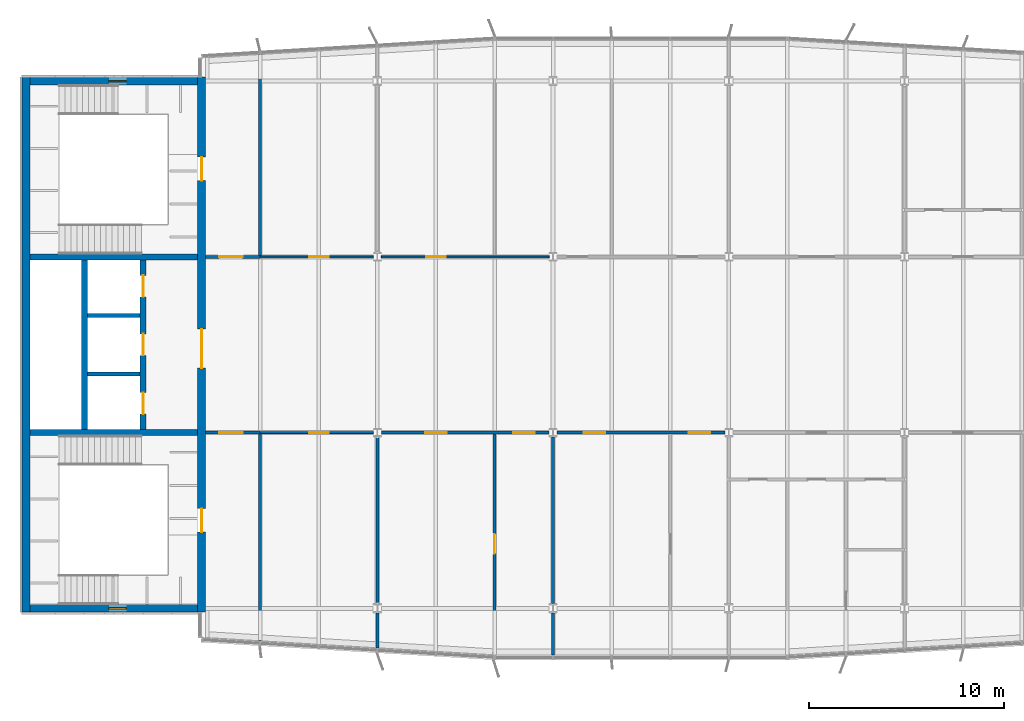
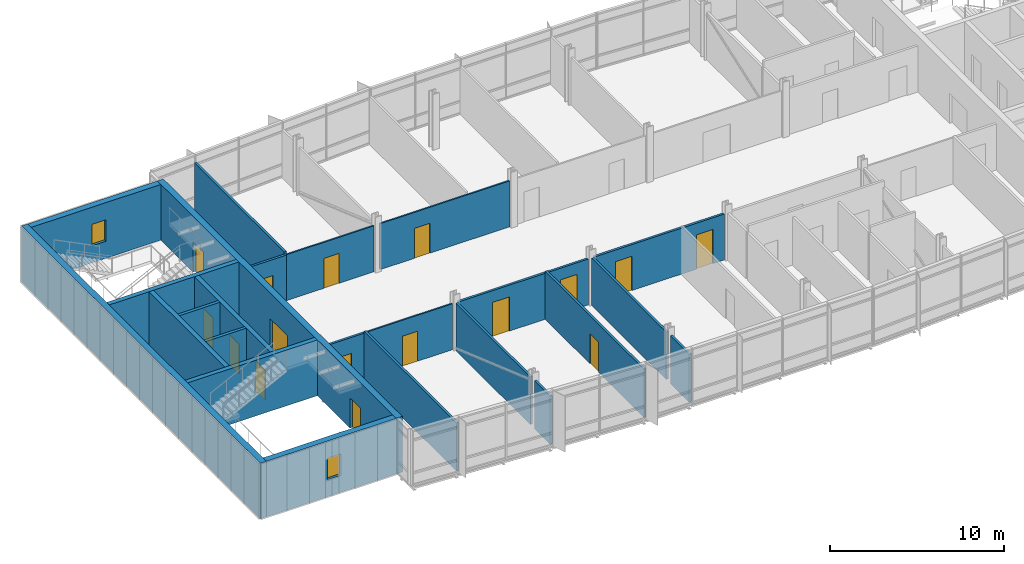
# One storey, part 11 of 17: 24 walls, 16 doors, 2 windows, 18 openings.
"""IFC4 building model written with IfcOpenShell, lengths in metres."""

from ifc_helpers import new_model, si_unit, direction, frame, frame_2d, origin, place, context, subcontext, project, spatial, rectangle, extrude, material, layer, layer_set, type_object, element, fill, save


model = new_model("IFC4")

# Units and contexts
model_context = context("Model", 3, precision=1e-05, world=origin(), true_north=direction((0.0, 1.0)))
body_context = subcontext(model_context, "Body", "Model", "MODEL_VIEW")
ifc_project = project(units=[si_unit("LENGTHUNIT", "METRE"), si_unit("AREAUNIT", "SQUARE_METRE"), si_unit("VOLUMEUNIT", "CUBIC_METRE"), si_unit("PLANEANGLEUNIT", "RADIAN"), si_unit("MASSUNIT", "GRAM", prefix="KILO")], contexts=[model_context])

# Site, building, storey
site_placement = place(None, origin())
site = spatial("IfcSite", under=ifc_project, at=site_placement, CompositionType="ELEMENT")
building_placement = place(site_placement, origin())
building = spatial("IfcBuilding", under=site, at=building_placement, Name="Azimuth Sports and Learning Centre", CompositionType="ELEMENT")
storey_placement = place(building_placement, frame((0.0, 0.0, 36.300048828125)))
storey = spatial("IfcBuildingStorey", under=building, at=storey_placement, Name="L07", CompositionType="ELEMENT", Elevation=36.300048828125)

# Walls
ifc_material_1 = material(Name="Dense masonry blockwork", Category="masonry")
ifc_layer_1 = layer(ifc_material_1, 0.199951171875)
ifc_layer_set_1 = layer_set([ifc_layer_1], Name="Dense masonry blockwork")
wall_type_1 = type_object("IfcWallType", Name="Blockwork wall 200 EI 120", PredefinedType="SOLIDWALL", material=ifc_layer_set_1)
for number, where, z_axis, x_axis, name in (
    (1, (57.14990234375, 102.0, 0.0), (0.0, 0.0, 1.0), (1.0, 0.0, 0.0), "SD-W-1-L07"),
    (2, (57.14990234375, 105.0, 0.0), (0.0, 0.0, 1.0), (1.0, 0.0, 0.0), "SD-W-2-L07"),
):
    element("IfcWall", number, at=place(storey_placement, frame(where, z_axis=z_axis, x_axis=x_axis)), inside=storey, type_object=wall_type_1, Name=name, PredefinedType="SOLIDWALL", context=body_context, shape_type="SweptSolid", body=[
        extrude(rectangle(XDim=2.7001953125, YDim=0.199951171875, at=frame_2d((1.35009765625, 0.0))), origin(), (0.0, 0.0, 1.0), 3.89990234375),
    ])

# Wall, opening, door
ifc_material_2 = material(Name="Gypsum board on steel studs", Category="steel")
ifc_layer_2 = layer(ifc_material_2, 0.10009765625)
ifc_layer_set_2 = layer_set([ifc_layer_2], Name="Gypsum board on steel studs")
wall_type_2 = type_object("IfcWallType", Name="Partition 100 EI 30", PredefinedType="PARTITIONING", material=ifc_layer_set_2)
wall_1_placement = place(storey_placement, frame((66.0, 99.0, 0.0), z_axis=(0.0, 0.0, 1.0), x_axis=(1.0, 0.0, 0.0)))
wall_1 = element("IfcWall", 3, at=wall_1_placement, inside=storey, type_object=wall_type_2, Name="Partition Classroom 07.07 / Learning Street", PredefinedType="PARTITIONING", context=body_context, shape_type="SweptSolid", body=[
    extrude(rectangle(XDim=5.7939453125, YDim=0.10009765625, at=frame_2d((2.89697265625, 0.0))), origin(), (0.0, 0.0, 1.0), 3.219970703125),
])
opening_1_placement = place(wall_1_placement, frame((2.5, 0.0, 0.0)))
opening_1 = element("IfcOpeningElement", 4, at=opening_1_placement, cuts=wall_1, Name="Opening D07-015", PredefinedType="OPENING", context=body_context, shape_type="SweptSolid", body=[
    extrude(rectangle(XDim=1.0, YDim=2.10009765625, at=frame_2d((0.5, 1.050048828125))), frame((0.0, 0.06103515625, 0.0), z_axis=(0.0, -1.0, 0.0), x_axis=(1.0, 0.0, 0.0)), (0.0, 0.0, 1.0), 0.1220703125),
])
ifc_material_3 = material(Name="Painted steel door set", Category="steel")
door_type_1 = type_object("IfcDoorType", Name="Fire door FD30S 1000 x 2100", OperationType="NOTDEFINED", PredefinedType="DOOR", material=ifc_material_3)
door_1_placement = place(opening_1_placement, frame((1.0, 0.0, 0.0), z_axis=(0.0, 0.0, 1.0), x_axis=(-1.0, 0.0, 0.0)))
door_1 = element("IfcDoor", 5, at=door_1_placement, inside=storey, type_object=door_type_1, Name="Door Classroom 07.07 / Learning Street", OperationType="SINGLE_SWING_LEFT", OverallHeight=2.10009765625, OverallWidth=1.0, PredefinedType="DOOR", context=body_context, shape_type="SweptSolid", body=[
    extrude(rectangle(XDim=1.0, YDim=2.10009765625, at=frame_2d((0.5, 1.050048828125))), frame((0.0, 0.02490234375, 0.0), z_axis=(0.0, -1.0, 0.0), x_axis=(1.0, 0.0, 0.0)), (0.0, 0.0, 1.0), 0.050048828125),
])
fill(opening_1, door_1)

wall_2_placement = place(storey_placement, frame((66.0, 108.0, 0.0), z_axis=(0.0, 0.0, 1.0), x_axis=(1.0, 0.0, 0.0)))
wall_2 = element("IfcWall", 6, at=wall_2_placement, inside=storey, type_object=wall_type_2, Name="Partition Classroom 07.18 / Classroom 07.19", PredefinedType="PARTITIONING", context=body_context, shape_type="SweptSolid", body=[
    extrude(rectangle(XDim=5.7939453125, YDim=0.10009765625, at=frame_2d((2.89697265625, 0.0))), origin(), (0.0, 0.0, 1.0), 3.219970703125),
])
opening_2_placement = place(wall_2_placement, frame((2.5, 0.0, 0.0)))
opening_2 = element("IfcOpeningElement", 7, at=opening_2_placement, cuts=wall_2, Name="Opening D07-022", PredefinedType="OPENING", context=body_context, shape_type="SweptSolid", body=[
    extrude(rectangle(XDim=1.0, YDim=2.10009765625, at=frame_2d((0.5, 1.050048828125))), frame((0.0, 0.06103515625, 0.0), z_axis=(0.0, -1.0, 0.0), x_axis=(1.0, 0.0, 0.0)), (0.0, 0.0, 1.0), 0.1220703125),
])
door_2_placement = place(opening_2_placement, origin())
door_2 = element("IfcDoor", 8, at=door_2_placement, inside=storey, type_object=door_type_1, Name="Door Classroom 07.18 / Learning Street", OperationType="SINGLE_SWING_RIGHT", OverallHeight=2.10009765625, OverallWidth=1.0, PredefinedType="DOOR", context=body_context, shape_type="SweptSolid", body=[
    extrude(rectangle(XDim=1.0, YDim=2.10009765625, at=frame_2d((0.5, 1.050048828125))), frame((0.0, 0.02490234375, 0.0), z_axis=(0.0, -1.0, 0.0), x_axis=(1.0, 0.0, 0.0)), (0.0, 0.0, 1.0), 0.050048828125),
])
fill(opening_2, door_2)

wall_3_placement = place(storey_placement, frame((72.2060546875, 108.0, 0.0), z_axis=(0.0, 0.0, 1.0), x_axis=(1.0, 0.0, 0.0)))
wall_3 = element("IfcWall", 9, at=wall_3_placement, inside=storey, type_object=wall_type_2, Name="Partition Classroom 07.18 / Classroom 07.19", PredefinedType="PARTITIONING", context=body_context, shape_type="SweptSolid", body=[
    extrude(rectangle(XDim=8.587890625, YDim=0.10009765625, at=frame_2d((4.2939453125, 0.0))), origin(), (0.0, 0.0, 1.0), 3.219970703125),
])
opening_3_placement = place(wall_3_placement, frame((2.2939453125, 0.0, 0.0)))
opening_3 = element("IfcOpeningElement", 10, at=opening_3_placement, cuts=wall_3, Name="Opening D07-023", PredefinedType="OPENING", context=body_context, shape_type="SweptSolid", body=[
    extrude(rectangle(XDim=1.0, YDim=2.10009765625, at=frame_2d((0.5, 1.050048828125))), frame((0.0, 0.06103515625, 0.0), z_axis=(0.0, -1.0, 0.0), x_axis=(1.0, 0.0, 0.0)), (0.0, 0.0, 1.0), 0.1220703125),
])
door_3_placement = place(opening_3_placement, origin())
door_3 = element("IfcDoor", 11, at=door_3_placement, inside=storey, type_object=door_type_1, Name="Door Classroom 07.19 / Learning Street", OperationType="SINGLE_SWING_LEFT", OverallHeight=2.10009765625, OverallWidth=1.0, PredefinedType="DOOR", context=body_context, shape_type="SweptSolid", body=[
    extrude(rectangle(XDim=1.0, YDim=2.10009765625, at=frame_2d((0.5, 1.050048828125))), frame((0.0, 0.02490234375, 0.0), z_axis=(0.0, -1.0, 0.0), x_axis=(1.0, 0.0, 0.0)), (0.0, 0.0, 1.0), 0.050048828125),
])
fill(opening_3, door_3)

ifc_material_4 = material(Name="Lightweight blockwork, rendered", Category="masonry")
ifc_layer_3 = layer(ifc_material_4, 0.14990234375)
ifc_layer_set_3 = layer_set([ifc_layer_3], Name="Lightweight blockwork, rendered")
wall_type_3 = type_object("IfcWallType", Name="Partition 150 EI 60", PredefinedType="PARTITIONING", material=ifc_layer_set_3)
wall_4_placement = place(storey_placement, frame((63.199951171875, 99.0, 0.0), z_axis=(0.0, 0.0, 1.0), x_axis=(1.0, 0.0, 0.0)))
wall_4 = element("IfcWall", 12, at=wall_4_placement, inside=storey, type_object=wall_type_3, Name="Partition Stair Lobby W1 07.01 / Learning Street", PredefinedType="PARTITIONING", context=body_context, shape_type="SweptSolid", body=[
    extrude(rectangle(XDim=2.800048828125, YDim=0.14990234375, at=frame_2d((1.39990234375, 0.0))), origin(), (0.0, 0.0, 1.0), 3.219970703125),
])
opening_4_placement = place(wall_4_placement, frame((0.699951171875, 0.0, 0.0)))
opening_4 = element("IfcOpeningElement", 13, at=opening_4_placement, cuts=wall_4, Name="Opening D07-011", PredefinedType="OPENING", context=body_context, shape_type="SweptSolid", body=[
    extrude(rectangle(XDim=1.199951171875, YDim=2.10009765625, at=frame_2d((0.60009765625, 1.050048828125))), frame((0.0, 0.0859375, 0.0), z_axis=(0.0, -1.0, 0.0), x_axis=(1.0, 0.0, 0.0)), (0.0, 0.0, 1.0), 0.171875),
])
ifc_material_5 = material(Name="Painted steel door set", Category="steel")
door_type_2 = type_object("IfcDoorType", Name="Fire door FD60 1200 x 2100", OperationType="NOTDEFINED", PredefinedType="DOOR", material=ifc_material_5)
door_4_placement = place(opening_4_placement, frame((1.199951171875, 0.0, 0.0), z_axis=(0.0, 0.0, 1.0), x_axis=(-1.0, 0.0, 0.0)))
door_4 = element("IfcDoor", 14, at=door_4_placement, inside=storey, type_object=door_type_2, Name="Door Stair Lobby W1 07.01 / Learning Street", OperationType="SINGLE_SWING_RIGHT", OverallHeight=2.10009765625, OverallWidth=1.199951171875, PredefinedType="DOOR", context=body_context, shape_type="SweptSolid", body=[
    extrude(rectangle(XDim=1.199951171875, YDim=2.10009765625, at=frame_2d((0.60009765625, 1.050048828125))), frame((0.0, 0.02490234375, 0.0), z_axis=(0.0, -1.0, 0.0), x_axis=(1.0, 0.0, 0.0)), (0.0, 0.0, 1.0), 0.050048828125),
])
fill(opening_4, door_4)

# Wall, openings, doors
wall_5_placement = place(storey_placement, frame((72.2060546875, 99.0, 0.0), z_axis=(0.0, 0.0, 1.0), x_axis=(1.0, 0.0, 0.0)))
wall_5 = element("IfcWall", 15, at=wall_5_placement, inside=storey, type_object=wall_type_3, Name="Partition Science Laboratory 07.08 / Preparation Room 07.09", PredefinedType="PARTITIONING", context=body_context, shape_type="SweptSolid", body=[
    extrude(rectangle(XDim=8.587890625, YDim=0.14990234375, at=frame_2d((4.2939453125, 0.0))), origin(), (0.0, 0.0, 1.0), 3.219970703125),
])
opening_5_placement = place(wall_5_placement, frame((2.243896484375, 0.0, 0.0)))
opening_5 = element("IfcOpeningElement", 16, at=opening_5_placement, cuts=wall_5, Name="Opening D07-016", PredefinedType="OPENING", context=body_context, shape_type="SweptSolid", body=[
    extrude(rectangle(XDim=1.10009765625, YDim=2.39990234375, at=frame_2d((0.550048828125, 1.199951171875))), frame((0.0, 0.0859375, 0.0), z_axis=(0.0, -1.0, 0.0), x_axis=(1.0, 0.0, 0.0)), (0.0, 0.0, 1.0), 0.171875),
])
opening_6_placement = place(wall_5_placement, frame((6.743896484375, 0.0, 0.0)))
opening_6 = element("IfcOpeningElement", 17, at=opening_6_placement, cuts=wall_5, Name="Opening D07-017", PredefinedType="OPENING", context=body_context, shape_type="SweptSolid", body=[
    extrude(rectangle(XDim=1.10009765625, YDim=2.39990234375, at=frame_2d((0.550048828125, 1.199951171875))), frame((0.0, 0.0859375, 0.0), z_axis=(0.0, -1.0, 0.0), x_axis=(1.0, 0.0, 0.0)), (0.0, 0.0, 1.0), 0.171875),
])
ifc_material_6 = material(Name="Painted steel door set", Category="steel")
door_type_3 = type_object("IfcDoorType", Name="Fire door FD60 1100 x 2400", OperationType="NOTDEFINED", PredefinedType="DOOR", material=ifc_material_6)
door_5_placement = place(opening_5_placement, frame((1.10009765625, 0.0, 0.0), z_axis=(0.0, 0.0, 1.0), x_axis=(-1.0, 0.0, 0.0)))
door_5 = element("IfcDoor", 18, at=door_5_placement, inside=storey, type_object=door_type_3, Name="Door Science Laboratory 07.08 / Learning Street", OperationType="SINGLE_SWING_RIGHT", OverallHeight=2.39990234375, OverallWidth=1.10009765625, PredefinedType="DOOR", context=body_context, shape_type="SweptSolid", body=[
    extrude(rectangle(XDim=1.10009765625, YDim=2.39990234375, at=frame_2d((0.550048828125, 1.199951171875))), frame((0.0, 0.02490234375, 0.0), z_axis=(0.0, -1.0, 0.0), x_axis=(1.0, 0.0, 0.0)), (0.0, 0.0, 1.0), 0.050048828125),
])
fill(opening_5, door_5)
door_6_placement = place(opening_6_placement, frame((1.10009765625, 0.0, 0.0), z_axis=(0.0, 0.0, 1.0), x_axis=(-1.0, 0.0, 0.0)))
door_6 = element("IfcDoor", 19, at=door_6_placement, inside=storey, type_object=door_type_3, Name="Door Preparation Room 07.09 / Learning Street", OperationType="SINGLE_SWING_LEFT", OverallHeight=2.39990234375, OverallWidth=1.10009765625, PredefinedType="DOOR", context=body_context, shape_type="SweptSolid", body=[
    extrude(rectangle(XDim=1.10009765625, YDim=2.39990234375, at=frame_2d((0.550048828125, 1.199951171875))), frame((0.0, 0.02490234375, 0.0), z_axis=(0.0, -1.0, 0.0), x_axis=(1.0, 0.0, 0.0)), (0.0, 0.0, 1.0), 0.050048828125),
])
fill(opening_6, door_6)

wall_6_placement = place(storey_placement, frame((81.2060546875, 99.0, 0.0), z_axis=(0.0, 0.0, 1.0), x_axis=(1.0, 0.0, 0.0)))
wall_6 = element("IfcWall", 20, at=wall_6_placement, inside=storey, type_object=wall_type_3, Name="Partition Science Laboratory 07.08 / Preparation Room 07.09", PredefinedType="PARTITIONING", context=body_context, shape_type="SweptSolid", body=[
    extrude(rectangle(XDim=8.587890625, YDim=0.14990234375, at=frame_2d((4.2939453125, 0.0))), origin(), (0.0, 0.0, 1.0), 3.219970703125),
])
opening_7_placement = place(wall_6_placement, frame((1.368896484375, 0.0, 0.0)))
opening_7 = element("IfcOpeningElement", 21, at=opening_7_placement, cuts=wall_6, Name="Opening D07-018", PredefinedType="OPENING", context=body_context, shape_type="SweptSolid", body=[
    extrude(rectangle(XDim=1.10009765625, YDim=2.39990234375, at=frame_2d((0.550048828125, 1.199951171875))), frame((0.0, 0.0859375, 0.0), z_axis=(0.0, -1.0, 0.0), x_axis=(1.0, 0.0, 0.0)), (0.0, 0.0, 1.0), 0.171875),
])
opening_8_placement = place(wall_6_placement, frame((6.743896484375, 0.0, 0.0)))
opening_8 = element("IfcOpeningElement", 22, at=opening_8_placement, cuts=wall_6, Name="Opening D07-019", PredefinedType="OPENING", context=body_context, shape_type="SweptSolid", body=[
    extrude(rectangle(XDim=1.10009765625, YDim=2.39990234375, at=frame_2d((0.550048828125, 1.199951171875))), frame((0.0, 0.0859375, 0.0), z_axis=(0.0, -1.0, 0.0), x_axis=(1.0, 0.0, 0.0)), (0.0, 0.0, 1.0), 0.171875),
])
door_7_placement = place(opening_7_placement, frame((1.10009765625, 0.0, 0.0), z_axis=(0.0, 0.0, 1.0), x_axis=(-1.0, 0.0, 0.0)))
door_7 = element("IfcDoor", 23, at=door_7_placement, inside=storey, type_object=door_type_3, Name="Door Science Laboratory 07.10 / Learning Street", OperationType="SINGLE_SWING_RIGHT", OverallHeight=2.39990234375, OverallWidth=1.10009765625, PredefinedType="DOOR", context=body_context, shape_type="SweptSolid", body=[
    extrude(rectangle(XDim=1.10009765625, YDim=2.39990234375, at=frame_2d((0.550048828125, 1.199951171875))), frame((0.0, 0.02490234375, 0.0), z_axis=(0.0, -1.0, 0.0), x_axis=(1.0, 0.0, 0.0)), (0.0, 0.0, 1.0), 0.050048828125),
])
fill(opening_7, door_7)
door_8_placement = place(opening_8_placement, frame((1.10009765625, 0.0, 0.0), z_axis=(0.0, 0.0, 1.0), x_axis=(-1.0, 0.0, 0.0)))
door_8 = element("IfcDoor", 24, at=door_8_placement, inside=storey, type_object=door_type_3, Name="Door Preparation Room 07.11 / Learning Street", OperationType="SINGLE_SWING_LEFT", OverallHeight=2.39990234375, OverallWidth=1.10009765625, PredefinedType="DOOR", context=body_context, shape_type="SweptSolid", body=[
    extrude(rectangle(XDim=1.10009765625, YDim=2.39990234375, at=frame_2d((0.550048828125, 1.199951171875))), frame((0.0, 0.02490234375, 0.0), z_axis=(0.0, -1.0, 0.0), x_axis=(1.0, 0.0, 0.0)), (0.0, 0.0, 1.0), 0.050048828125),
])
fill(opening_8, door_8)

# Wall, opening, door
wall_7_placement = place(storey_placement, frame((63.199951171875, 108.0, 0.0), z_axis=(0.0, 0.0, 1.0), x_axis=(1.0, 0.0, 0.0)))
wall_7 = element("IfcWall", 25, at=wall_7_placement, inside=storey, type_object=wall_type_3, Name="Partition Stair Lobby W2 07.02 / Learning Street", PredefinedType="PARTITIONING", context=body_context, shape_type="SweptSolid", body=[
    extrude(rectangle(XDim=2.800048828125, YDim=0.14990234375, at=frame_2d((1.39990234375, 0.0))), origin(), (0.0, 0.0, 1.0), 3.219970703125),
])
opening_9_placement = place(wall_7_placement, frame((0.699951171875, 0.0, 0.0)))
opening_9 = element("IfcOpeningElement", 26, at=opening_9_placement, cuts=wall_7, Name="Opening D07-012", PredefinedType="OPENING", context=body_context, shape_type="SweptSolid", body=[
    extrude(rectangle(XDim=1.199951171875, YDim=2.10009765625, at=frame_2d((0.60009765625, 1.050048828125))), frame((0.0, 0.0859375, 0.0), z_axis=(0.0, -1.0, 0.0), x_axis=(1.0, 0.0, 0.0)), (0.0, 0.0, 1.0), 0.171875),
])
door_9_placement = place(opening_9_placement, origin())
door_9 = element("IfcDoor", 27, at=door_9_placement, inside=storey, type_object=door_type_2, Name="Door Stair Lobby W2 07.02 / Learning Street", OperationType="SINGLE_SWING_LEFT", OverallHeight=2.10009765625, OverallWidth=1.199951171875, PredefinedType="DOOR", context=body_context, shape_type="SweptSolid", body=[
    extrude(rectangle(XDim=1.199951171875, YDim=2.10009765625, at=frame_2d((0.60009765625, 1.050048828125))), frame((0.0, 0.02490234375, 0.0), z_axis=(0.0, -1.0, 0.0), x_axis=(1.0, 0.0, 0.0)), (0.0, 0.0, 1.0), 0.050048828125),
])
fill(opening_9, door_9)

# Walls
wall_8_placement = place(storey_placement, frame((66.0, 88.320068359375, 0.0), z_axis=(0.0, 0.0, 1.0), x_axis=(0.0, 1.0, 0.0)))
element("IfcWall", 28, at=wall_8_placement, inside=storey, type_object=wall_type_3, Name="Partition Stair Lobby W1 07.01 / Classroom 07.07", PredefinedType="PARTITIONING", context=body_context, shape_type="SweptSolid", body=[
    extrude(rectangle(XDim=10.60498046875, YDim=0.14990234375, at=frame_2d((5.302490234375, 0.0))), origin(), (0.0, 0.0, 1.0), 3.369873046875),
])
wall_9_placement = place(storey_placement, frame((66.0, 108.074951171875, 0.0), z_axis=(0.0, 0.0, 1.0), x_axis=(0.0, 1.0, 0.0)))
element("IfcWall", 29, at=wall_9_placement, inside=storey, type_object=wall_type_3, Name="Partition Stair Lobby W2 07.02 / Classroom 07.18", PredefinedType="PARTITIONING", context=body_context, shape_type="SweptSolid", body=[
    extrude(rectangle(XDim=10.304931640625, YDim=0.14990234375, at=frame_2d((5.15234375, 0.0))), origin(), (0.0, 0.0, 1.0), 3.369873046875),
])
wall_10_placement = place(storey_placement, frame((72.0, 87.9599609375, 0.0), z_axis=(0.0, 0.0, 1.0), x_axis=(0.0, 1.0, 0.0)))
element("IfcWall", 30, at=wall_10_placement, inside=storey, type_object=wall_type_3, Name="Partition Classroom 07.07 / Science Laboratory 07.08", PredefinedType="PARTITIONING", context=body_context, shape_type="SweptSolid", body=[
    extrude(rectangle(XDim=1.802978515625, YDim=0.14990234375, at=frame_2d((0.9013671875, 0.0))), origin(), (0.0, 0.0, 1.0), 3.369873046875),
])
wall_11_placement = place(storey_placement, frame((72.0, 90.237060546875, 0.0), z_axis=(0.0, 0.0, 1.0), x_axis=(0.0, 1.0, 0.0)))
element("IfcWall", 31, at=wall_11_placement, inside=storey, type_object=wall_type_3, Name="Partition Classroom 07.07 / Science Laboratory 07.08", PredefinedType="PARTITIONING", context=body_context, shape_type="SweptSolid", body=[
    extrude(rectangle(XDim=8.54541015625, YDim=0.14990234375, at=frame_2d((4.272705078125, 0.0))), origin(), (0.0, 0.0, 1.0), 3.320068359375),
])

# Wall, opening, door
wall_12_placement = place(storey_placement, frame((78.0, 87.60009765625, 0.0), z_axis=(0.0, 0.0, 1.0), x_axis=(0.0, 1.0, 0.0)))
wall_12 = element("IfcWall", 32, at=wall_12_placement, inside=storey, type_object=wall_type_3, Name="Partition Science Laboratory 07.08 / Preparation Room 07.09", PredefinedType="PARTITIONING", context=body_context, shape_type="SweptSolid", body=[
    extrude(rectangle(XDim=11.324951171875, YDim=0.14990234375, at=frame_2d((5.66259765625, 0.0))), origin(), (0.0, 0.0, 1.0), 3.369873046875),
])
opening_10_placement = place(wall_12_placement, frame((5.199951171875, 0.0, 0.0)))
opening_10 = element("IfcOpeningElement", 33, at=opening_10_placement, cuts=wall_12, Name="Opening D07-028", PredefinedType="OPENING", context=body_context, shape_type="SweptSolid", body=[
    extrude(rectangle(XDim=1.0, YDim=2.10009765625, at=frame_2d((0.5, 1.050048828125))), frame((0.0, 0.0859375, 0.0), z_axis=(0.0, -1.0, 0.0), x_axis=(1.0, 0.0, 0.0)), (0.0, 0.0, 1.0), 0.171875),
])
ifc_material_7 = material(Name="Painted steel door set", Category="steel")
door_type_4 = type_object("IfcDoorType", Name="Fire door FD60 1000 x 2100", OperationType="NOTDEFINED", PredefinedType="DOOR", material=ifc_material_7)
door_10_placement = place(opening_10_placement, frame((1.0, 0.0, 0.0), z_axis=(0.0, 0.0, 1.0), x_axis=(-1.0, 0.0, 0.0)))
door_10 = element("IfcDoor", 34, at=door_10_placement, inside=storey, type_object=door_type_4, Name="Door Science Laboratory 07.08 / Preparation Room 07.09", OperationType="SINGLE_SWING_LEFT", OverallHeight=2.10009765625, OverallWidth=1.0, PredefinedType="DOOR", context=body_context, shape_type="SweptSolid", body=[
    extrude(rectangle(XDim=1.0, YDim=2.10009765625, at=frame_2d((0.5, 1.050048828125))), frame((0.0, 0.02490234375, 0.0), z_axis=(0.0, -1.0, 0.0), x_axis=(1.0, 0.0, 0.0)), (0.0, 0.0, 1.0), 0.050048828125),
])
fill(opening_10, door_10)

# Walls
wall_13_placement = place(storey_placement, frame((81.0, 87.60009765625, 0.0), z_axis=(0.0, 0.0, 1.0), x_axis=(0.0, 1.0, 0.0)))
element("IfcWall", 35, at=wall_13_placement, inside=storey, type_object=wall_type_3, Name="Partition Preparation Room 07.09 / Science Laboratory 07.10", PredefinedType="PARTITIONING", context=body_context, shape_type="SweptSolid", body=[
    extrude(rectangle(XDim=2.162841796875, YDim=0.14990234375, at=frame_2d((1.08154296875, 0.0))), origin(), (0.0, 0.0, 1.0), 3.369873046875),
])
wall_14_placement = place(storey_placement, frame((81.0, 90.237060546875, 0.0), z_axis=(0.0, 0.0, 1.0), x_axis=(0.0, 1.0, 0.0)))
element("IfcWall", 36, at=wall_14_placement, inside=storey, type_object=wall_type_3, Name="Partition Preparation Room 07.09 / Science Laboratory 07.10", PredefinedType="PARTITIONING", context=body_context, shape_type="SweptSolid", body=[
    extrude(rectangle(XDim=8.54541015625, YDim=0.14990234375, at=frame_2d((4.272705078125, 0.0))), origin(), (0.0, 0.0, 1.0), 3.320068359375),
])
ifc_material_8 = material(Name="Concrete C40/50", Category="concrete")
ifc_layer_4 = layer(ifc_material_8, 0.300048828125)
ifc_layer_set_4 = layer_set([ifc_layer_4], Name="Concrete C40/50")
wall_type_4 = type_object("IfcWallType", Name="RC core wall 300", PredefinedType="SHEAR", material=ifc_layer_set_4)
for number, where, z_axis, x_axis, name in (
    (37, (54.199951171875, 99.0, 0.0), (0.0, 0.0, 1.0), (1.0, 0.0, 0.0), "Core wall W D1 L07"),
    (38, (54.199951171875, 108.0, 0.0), (0.0, 0.0, 1.0), (1.0, 0.0, 0.0), "Core wall W D2 L07"),
):
    element("IfcWall", number, at=place(storey_placement, frame(where, z_axis=z_axis, x_axis=x_axis)), inside=storey, type_object=wall_type_4, Name=name, PredefinedType="SHEAR", context=body_context, shape_type="SweptSolid", body=[
        extrude(rectangle(XDim=8.60009765625, YDim=0.300048828125, at=frame_2d((4.300048828125, 0.0))), origin(), (0.0, 0.0, 1.0), 3.89990234375),
    ])
wall_15_placement = place(storey_placement, frame((57.0, 99.14990234375, 0.0), z_axis=(0.0, 0.0, 1.0), x_axis=(0.0, 1.0, 0.0)))
element("IfcWall", 39, at=wall_15_placement, inside=storey, type_object=wall_type_4, Name="Core wall W LB1 L07", PredefinedType="SHEAR", context=body_context, shape_type="SweptSolid", body=[
    extrude(rectangle(XDim=8.7001953125, YDim=0.300048828125, at=frame_2d((4.35009765625, 0.0))), origin(), (0.0, 0.0, 1.0), 3.89990234375),
])

# Wall, openings, doors
wall_16_placement = place(storey_placement, frame((60.0, 99.14990234375, 0.0), z_axis=(0.0, 0.0, 1.0), x_axis=(0.0, 1.0, 0.0)))
wall_16 = element("IfcWall", 40, at=wall_16_placement, inside=storey, type_object=wall_type_4, Name="Core wall W LB2 L07", PredefinedType="SHEAR", context=body_context, shape_type="SweptSolid", body=[
    extrude(rectangle(XDim=8.7001953125, YDim=0.300048828125, at=frame_2d((4.35009765625, 0.0))), origin(), (0.0, 0.0, 1.0), 3.89990234375),
])
opening_11_placement = place(wall_16_placement, frame((0.800048828125, 0.0, 0.0)))
opening_11 = element("IfcOpeningElement", 41, at=opening_11_placement, cuts=wall_16, Name="Opening D07-005", PredefinedType="OPENING", context=body_context, shape_type="SweptSolid", body=[
    extrude(rectangle(XDim=1.10009765625, YDim=2.10009765625, at=frame_2d((0.550048828125, 1.050048828125))), frame((0.0, 0.1611328125, 0.0), z_axis=(0.0, -1.0, 0.0), x_axis=(1.0, 0.0, 0.0)), (0.0, 0.0, 1.0), 0.322021484375),
])
opening_12_placement = place(wall_16_placement, frame((3.800048828125, 0.0, 0.0)))
opening_12 = element("IfcOpeningElement", 42, at=opening_12_placement, cuts=wall_16, Name="Opening D07-006", PredefinedType="OPENING", context=body_context, shape_type="SweptSolid", body=[
    extrude(rectangle(XDim=1.10009765625, YDim=2.10009765625, at=frame_2d((0.550048828125, 1.050048828125))), frame((0.0, 0.1611328125, 0.0), z_axis=(0.0, -1.0, 0.0), x_axis=(1.0, 0.0, 0.0)), (0.0, 0.0, 1.0), 0.322021484375),
])
opening_13_placement = place(wall_16_placement, frame((6.800048828125, 0.0, 0.0)))
opening_13 = element("IfcOpeningElement", 43, at=opening_13_placement, cuts=wall_16, Name="Opening D07-007", PredefinedType="OPENING", context=body_context, shape_type="SweptSolid", body=[
    extrude(rectangle(XDim=1.10009765625, YDim=2.10009765625, at=frame_2d((0.550048828125, 1.050048828125))), frame((0.0, 0.1611328125, 0.0), z_axis=(0.0, -1.0, 0.0), x_axis=(1.0, 0.0, 0.0)), (0.0, 0.0, 1.0), 0.322021484375),
])
ifc_material_9 = material(Name="Stainless steel", Category="steel")
door_type_5 = type_object("IfcDoorType", Name="Lift landing door 1100 x 2100", OperationType="DOUBLE_DOOR_SLIDING", PredefinedType="DOOR", material=ifc_material_9)
door_11_placement = place(opening_11_placement, origin())
door_11 = element("IfcDoor", 44, at=door_11_placement, inside=storey, type_object=door_type_5, Name="Landing door LW1 L07", OperationType="DOUBLE_DOOR_SLIDING", OverallHeight=2.10009765625, OverallWidth=1.10009765625, PredefinedType="DOOR", context=body_context, shape_type="SweptSolid", body=[
    extrude(rectangle(XDim=1.10009765625, YDim=2.10009765625, at=frame_2d((0.550048828125, 1.050048828125))), frame((0.0, 0.02490234375, 0.0), z_axis=(0.0, -1.0, 0.0), x_axis=(1.0, 0.0, 0.0)), (0.0, 0.0, 1.0), 0.050048828125),
])
fill(opening_11, door_11)
door_12_placement = place(opening_12_placement, origin())
door_12 = element("IfcDoor", 45, at=door_12_placement, inside=storey, type_object=door_type_5, Name="Landing door LW2 L07", OperationType="DOUBLE_DOOR_SLIDING", OverallHeight=2.10009765625, OverallWidth=1.10009765625, PredefinedType="DOOR", context=body_context, shape_type="SweptSolid", body=[
    extrude(rectangle(XDim=1.10009765625, YDim=2.10009765625, at=frame_2d((0.550048828125, 1.050048828125))), frame((0.0, 0.02490234375, 0.0), z_axis=(0.0, -1.0, 0.0), x_axis=(1.0, 0.0, 0.0)), (0.0, 0.0, 1.0), 0.050048828125),
])
fill(opening_12, door_12)
door_13_placement = place(opening_13_placement, origin())
door_13 = element("IfcDoor", 46, at=door_13_placement, inside=storey, type_object=door_type_5, Name="Landing door LW3 L07", OperationType="DOUBLE_DOOR_SLIDING", OverallHeight=2.10009765625, OverallWidth=1.10009765625, PredefinedType="DOOR", context=body_context, shape_type="SweptSolid", body=[
    extrude(rectangle(XDim=1.10009765625, YDim=2.10009765625, at=frame_2d((0.550048828125, 1.050048828125))), frame((0.0, 0.02490234375, 0.0), z_axis=(0.0, -1.0, 0.0), x_axis=(1.0, 0.0, 0.0)), (0.0, 0.0, 1.0), 0.050048828125),
])
fill(opening_13, door_13)

ifc_material_10 = material(Name="Concrete C40/50", Category="concrete")
ifc_layer_5 = layer(ifc_material_10, 0.39990234375)
ifc_layer_set_5 = layer_set([ifc_layer_5], Name="Concrete C40/50")
wall_type_5 = type_object("IfcWallType", Name="RC core wall 400", PredefinedType="SHEAR", material=ifc_layer_set_5)
wall_17_placement = place(storey_placement, frame((63.0, 89.800048828125, 0.0), z_axis=(0.0, 0.0, 1.0), x_axis=(0.0, 1.0, 0.0)))
wall_17 = element("IfcWall", 47, at=wall_17_placement, inside=storey, type_object=wall_type_5, Name="Core wall W E L07", PredefinedType="SHEAR", context=body_context, shape_type="SweptSolid", body=[
    extrude(rectangle(XDim=27.39990234375, YDim=0.39990234375, at=frame_2d((13.699951171875, 0.0))), origin(), (0.0, 0.0, 1.0), 3.89990234375),
])
opening_14_placement = place(wall_17_placement, frame((4.10009765625, 0.0, 0.0)))
opening_14 = element("IfcOpeningElement", 48, at=opening_14_placement, cuts=wall_17, Name="Opening D07-001", PredefinedType="OPENING", context=body_context, shape_type="SweptSolid", body=[
    extrude(rectangle(XDim=1.199951171875, YDim=2.10009765625, at=frame_2d((0.60009765625, 1.050048828125))), frame((0.0, 0.2109375, 0.0), z_axis=(0.0, -1.0, 0.0), x_axis=(1.0, 0.0, 0.0)), (0.0, 0.0, 1.0), 0.421875),
])
opening_15_placement = place(wall_17_placement, frame((22.10009765625, 0.0, 0.0)))
opening_15 = element("IfcOpeningElement", 49, at=opening_15_placement, cuts=wall_17, Name="Opening D07-002", PredefinedType="OPENING", context=body_context, shape_type="SweptSolid", body=[
    extrude(rectangle(XDim=1.199951171875, YDim=2.10009765625, at=frame_2d((0.60009765625, 1.050048828125))), frame((0.0, 0.2109375, 0.0), z_axis=(0.0, -1.0, 0.0), x_axis=(1.0, 0.0, 0.0)), (0.0, 0.0, 1.0), 0.421875),
])
opening_16_placement = place(wall_17_placement, frame((12.5, 0.0, 0.0)))
opening_16 = element("IfcOpeningElement", 50, at=opening_16_placement, cuts=wall_17, Name="Opening D07-036", PredefinedType="OPENING", context=body_context, shape_type="SweptSolid", body=[
    extrude(rectangle(XDim=2.0, YDim=2.10009765625, at=frame_2d((1.0, 1.050048828125))), frame((0.0, 0.2109375, 0.0), z_axis=(0.0, -1.0, 0.0), x_axis=(1.0, 0.0, 0.0)), (0.0, 0.0, 1.0), 0.421875),
])
ifc_material_11 = material(Name="Painted steel door set", Category="steel")
door_type_6 = type_object("IfcDoorType", Name="Fire door FD120 2000 x 2100 double leaf", OperationType="DOUBLE_DOOR_SINGLE_SWING", PredefinedType="DOOR", material=ifc_material_11)
door_14_placement = place(opening_16_placement, origin())
door_14 = element("IfcDoor", 51, at=door_14_placement, inside=storey, type_object=door_type_6, Name="Door Lift Lobby W 07.05 / Learning Street", OperationType="DOUBLE_DOOR_SINGLE_SWING", OverallHeight=2.10009765625, OverallWidth=2.0, PredefinedType="DOOR", context=body_context, shape_type="SweptSolid", body=[
    extrude(rectangle(XDim=2.0, YDim=2.10009765625, at=frame_2d((1.0, 1.050048828125))), frame((0.0, 0.02490234375, 0.0), z_axis=(0.0, -1.0, 0.0), x_axis=(1.0, 0.0, 0.0)), (0.0, 0.0, 1.0), 0.050048828125),
])
fill(opening_16, door_14)
ifc_material_12 = material(Name="Steel", Category="steel")
door_type_7 = type_object("IfcDoorType", Name="Stair fire door 1200 x 2100", OperationType="NOTDEFINED", PredefinedType="DOOR", material=ifc_material_12)
door_15_placement = place(opening_14_placement, origin())
door_15 = element("IfcDoor", 52, at=door_15_placement, inside=storey, type_object=door_type_7, Name="Stair door W1 L07", OperationType="SINGLE_SWING_LEFT", OverallHeight=2.10009765625, OverallWidth=1.199951171875, PredefinedType="DOOR", context=body_context, shape_type="SweptSolid", body=[
    extrude(rectangle(XDim=1.199951171875, YDim=2.10009765625, at=frame_2d((0.60009765625, 1.050048828125))), frame((0.0, 0.02490234375, 0.0), z_axis=(0.0, -1.0, 0.0), x_axis=(1.0, 0.0, 0.0)), (0.0, 0.0, 1.0), 0.050048828125),
])
fill(opening_14, door_15)
door_16_placement = place(opening_15_placement, origin())
door_16 = element("IfcDoor", 53, at=door_16_placement, inside=storey, type_object=door_type_7, Name="Stair door W2 L07", OperationType="SINGLE_SWING_LEFT", OverallHeight=2.10009765625, OverallWidth=1.199951171875, PredefinedType="DOOR", context=body_context, shape_type="SweptSolid", body=[
    extrude(rectangle(XDim=1.199951171875, YDim=2.10009765625, at=frame_2d((0.60009765625, 1.050048828125))), frame((0.0, 0.02490234375, 0.0), z_axis=(0.0, -1.0, 0.0), x_axis=(1.0, 0.0, 0.0)), (0.0, 0.0, 1.0), 0.050048828125),
])
fill(opening_15, door_16)

# Wall, opening, window
ifc_material_13 = material(Name="Concrete C40/50", Category="concrete")
ifc_layer_6 = layer(ifc_material_13, 0.39990234375)
ifc_layer_set_6 = layer_set([ifc_layer_6], Name="Concrete C40/50")
wall_type_6 = type_object("IfcWallType", Name="RC external core wall 400", PredefinedType="SHEAR", material=ifc_layer_set_6)
wall_18_placement = place(storey_placement, frame((54.199951171875, 90.0, 0.0), z_axis=(0.0, 0.0, 1.0), x_axis=(1.0, 0.0, 0.0)))
wall_18 = element("IfcWall", 54, at=wall_18_placement, inside=storey, type_object=wall_type_6, Name="Core wall W S L07", PredefinedType="SHEAR", context=body_context, shape_type="SweptSolid", body=[
    extrude(rectangle(XDim=8.60009765625, YDim=0.39990234375, at=frame_2d((4.300048828125, 0.0))), origin(), (0.0, 0.0, 1.0), 3.89990234375),
])
opening_17_placement = place(wall_18_placement, frame((4.050048828125, 0.0, 1.199951171875)))
opening_17 = element("IfcOpeningElement", 55, at=opening_17_placement, cuts=wall_18, Name="Opening W07-001", PredefinedType="OPENING", context=body_context, shape_type="SweptSolid", body=[
    extrude(rectangle(XDim=0.89990234375, YDim=1.5, at=frame_2d((0.449951171875, 0.75))), frame((0.0, 0.2109375, 0.0), z_axis=(0.0, -1.0, 0.0), x_axis=(1.0, 0.0, 0.0)), (0.0, 0.0, 1.0), 0.421875),
])
ifc_material_14 = material(Name="Aluminium and glass", Category="aluminium")
window_type = type_object("IfcWindowType", Name="Stair window tower core 900x1500", PartitioningType="SINGLE_PANEL", PredefinedType="WINDOW", material=ifc_material_14)
window_1_placement = place(opening_17_placement, origin())
window_1 = element("IfcWindow", 56, at=window_1_placement, inside=storey, type_object=window_type, Name="Window W07-001", OverallHeight=1.5, OverallWidth=0.89990234375, PartitioningType="SINGLE_PANEL", PredefinedType="WINDOW", context=body_context, shape_type="SweptSolid", body=[
    extrude(rectangle(XDim=0.89990234375, YDim=1.5, at=frame_2d((0.449951171875, 0.75))), frame((0.0, 0.030029296875, 0.0), z_axis=(0.0, -1.0, 0.0), x_axis=(1.0, 0.0, 0.0)), (0.0, 0.0, 1.0), 0.06005859375),
])
fill(opening_17, window_1)

wall_19_placement = place(storey_placement, frame((54.199951171875, 117.0, 0.0), z_axis=(0.0, 0.0, 1.0), x_axis=(1.0, 0.0, 0.0)))
wall_19 = element("IfcWall", 57, at=wall_19_placement, inside=storey, type_object=wall_type_6, Name="Core wall W N L07", PredefinedType="SHEAR", context=body_context, shape_type="SweptSolid", body=[
    extrude(rectangle(XDim=8.60009765625, YDim=0.39990234375, at=frame_2d((4.300048828125, 0.0))), origin(), (0.0, 0.0, 1.0), 3.89990234375),
])
opening_18_placement = place(wall_19_placement, frame((4.050048828125, 0.0, 1.199951171875)))
opening_18 = element("IfcOpeningElement", 58, at=opening_18_placement, cuts=wall_19, Name="Opening W07-004", PredefinedType="OPENING", context=body_context, shape_type="SweptSolid", body=[
    extrude(rectangle(XDim=0.89990234375, YDim=1.5, at=frame_2d((0.449951171875, 0.75))), frame((0.0, 0.2109375, 0.0), z_axis=(0.0, -1.0, 0.0), x_axis=(1.0, 0.0, 0.0)), (0.0, 0.0, 1.0), 0.421875),
])
window_2_placement = place(opening_18_placement, origin())
window_2 = element("IfcWindow", 59, at=window_2_placement, inside=storey, type_object=window_type, Name="Window W07-004", OverallHeight=1.5, OverallWidth=0.89990234375, PartitioningType="SINGLE_PANEL", PredefinedType="WINDOW", context=body_context, shape_type="SweptSolid", body=[
    extrude(rectangle(XDim=0.89990234375, YDim=1.5, at=frame_2d((0.449951171875, 0.75))), frame((0.0, 0.030029296875, 0.0), z_axis=(0.0, -1.0, 0.0), x_axis=(1.0, 0.0, 0.0)), (0.0, 0.0, 1.0), 0.06005859375),
])
fill(opening_18, window_2)

# Wall
wall_20_placement = place(storey_placement, frame((54.0, 89.800048828125, 0.0), z_axis=(0.0, 0.0, 1.0), x_axis=(0.0, 1.0, 0.0)))
element("IfcWall", 60, at=wall_20_placement, inside=storey, type_object=wall_type_6, Name="Core wall W W L07", PredefinedType="SHEAR", context=body_context, shape_type="SweptSolid", body=[
    extrude(rectangle(XDim=27.39990234375, YDim=0.39990234375, at=frame_2d((13.699951171875, 0.0))), origin(), (0.0, 0.0, 1.0), 3.89990234375),
])

save(model, "model.ifc")
